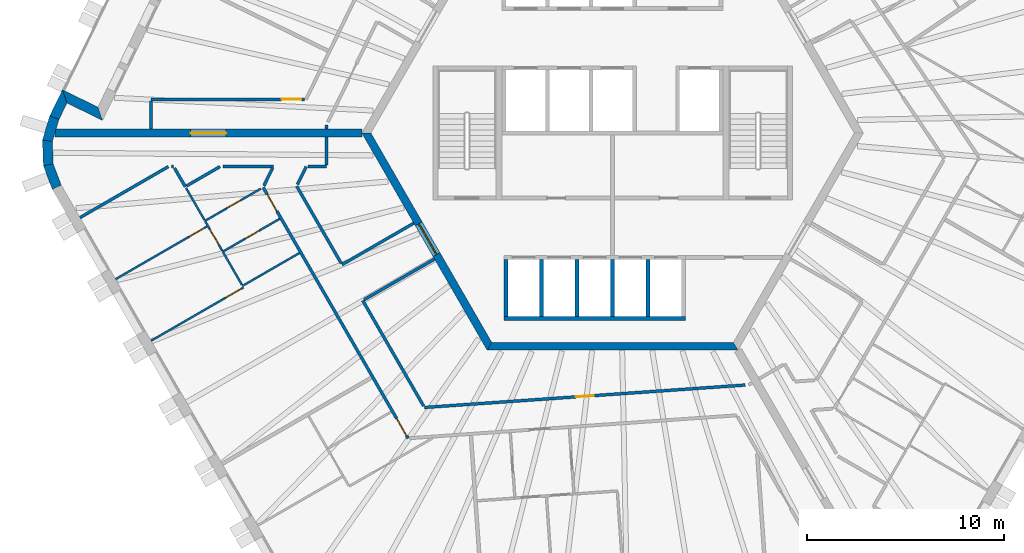
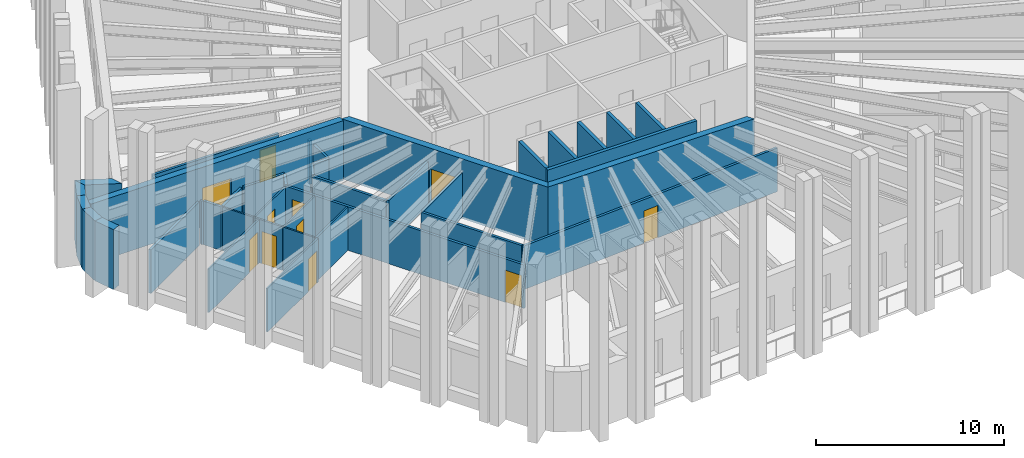
# One storey, part 4 of 13: 40 walls, 11 doors, 11 openings.
"""IFC4 building model written with IfcOpenShell, lengths in metres."""

from ifc_helpers import new_model, si_unit, direction, frame, frame_2d, origin, place, context, subcontext, project, spatial, polyline, rectangle, outline, extrude, material, layer, layer_set, type_object, element, fill, save


model = new_model("IFC4")

# Units and contexts
model_context = context("Model", 3, precision=1e-05, world=origin(), true_north=direction((0.0, 1.0)))
body_context = subcontext(model_context, "Body", "Model", "MODEL_VIEW")
ifc_project = project(units=[si_unit("LENGTHUNIT", "METRE"), si_unit("AREAUNIT", "SQUARE_METRE"), si_unit("VOLUMEUNIT", "CUBIC_METRE"), si_unit("PLANEANGLEUNIT", "RADIAN"), si_unit("MASSUNIT", "GRAM", prefix="KILO")], contexts=[model_context])

# Site, building, storey
site_placement = place(None, origin())
site = spatial("IfcSite", under=ifc_project, at=site_placement, CompositionType="ELEMENT")
building_placement = place(site_placement, origin())
building = spatial("IfcBuilding", under=site, at=building_placement, Name="Tarnside Tower", CompositionType="ELEMENT")
storey_placement = place(building_placement, frame((0.0, 0.0, 326.39990234375)))
storey = spatial("IfcBuildingStorey", under=building, at=storey_placement, Name="L79", CompositionType="ELEMENT", Elevation=326.39990234375)

# Wall
ifc_material_1 = material(Name="Gypsum board partition on steel studs", Category="steel")
ifc_layer_1 = layer(ifc_material_1, 0.10009765625)
ifc_layer_set_1 = layer_set([ifc_layer_1], Name="Bathroom wall 100")
wall_type_1 = type_object("IfcWallType", Name="Bathroom wall 100", PredefinedType="PARTITIONING", material=ifc_layer_set_1)
wall_1_placement = place(storey_placement, frame((-15.861083984375, -6.07763671875, 0.0), z_axis=(0.0, 0.0, 1.0), x_axis=(-0.866020521143, -0.500008456887, 0.0)))
element("IfcWall", 1, at=wall_1_placement, inside=storey, type_object=wall_type_1, Name="Bathroom wall 26109", PredefinedType="PARTITIONING", context=body_context, shape_type="SweptSolid", body=[
    extrude(rectangle(XDim=3.3251953125, YDim=0.10009765625, at=frame_2d((1.66259765625, 0.0))), origin(), (0.0, 0.0, 1.0), 2.837890625),
])

# Wall, opening, door
wall_2_placement = place(storey_placement, frame((-19.74072265625, -6.008056640625, 0.0), z_axis=(0.0, 0.0, 1.0), x_axis=(0.866052313871, 0.499953387465, 0.0)))
wall_2 = element("IfcWall", 2, at=wall_2_placement, inside=storey, type_object=wall_type_1, Name="Bathroom wall 26113", PredefinedType="PARTITIONING", context=body_context, shape_type="SweptSolid", body=[
    extrude(rectangle(XDim=3.324951171875, YDim=0.10009765625, at=frame_2d((1.66259765625, 0.0))), origin(), (0.0, 0.0, 1.0), 2.837890625),
])
opening_1_placement = place(wall_2_placement, frame((1.300048828125, 0.0, 0.0)))
opening_1 = element("IfcOpeningElement", 3, at=opening_1_placement, cuts=wall_2, Name="Opening D-B1", PredefinedType="OPENING", context=body_context, shape_type="SweptSolid", body=[
    extrude(rectangle(XDim=0.800048828125, YDim=2.10009765625, at=frame_2d((0.39990234375, 1.050048828125))), frame((0.0, 0.06005859375, 0.0), z_axis=(0.0, -1.0, 0.0), x_axis=(1.0, 0.0, 0.0)), (0.0, 0.0, 1.0), 0.1201171875),
])
ifc_material_2 = material(Name="Timber door leaf", Category="wood")
door_type_1 = type_object("IfcDoorType", Name="Bathroom door 800", OperationType="NOTDEFINED", PredefinedType="DOOR", material=ifc_material_2)
door_1_placement = place(opening_1_placement, origin())
door_1 = element("IfcDoor", 4, at=door_1_placement, inside=storey, type_object=door_type_1, Name="Bathroom door 26020", OperationType="SINGLE_SWING_LEFT", OverallHeight=2.10009765625, OverallWidth=0.800048828125, PredefinedType="DOOR", context=body_context, shape_type="SweptSolid", body=[
    extrude(rectangle(XDim=0.800048828125, YDim=2.10009765625, at=frame_2d((0.39990234375, 1.050048828125))), frame((0.0, 0.02490234375, 0.0), z_axis=(0.0, -1.0, 0.0), x_axis=(1.0, 0.0, 0.0)), (0.0, 0.0, 1.0), 0.050048828125),
])
fill(opening_1, door_1)

wall_3_placement = place(storey_placement, frame((-17.812255859375, -2.81640625, 0.0), z_axis=(0.0, 0.0, 1.0), x_axis=(-0.866044918084, -0.499966198718, 0.0)))
wall_3 = element("IfcWall", 5, at=wall_3_placement, inside=storey, type_object=wall_type_1, Name="Bathroom wall 26116", PredefinedType="PARTITIONING", context=body_context, shape_type="SweptSolid", body=[
    extrude(rectangle(XDim=3.265869140625, YDim=0.10009765625, at=frame_2d((1.6328125, 0.0))), origin(), (0.0, 0.0, 1.0), 2.837890625),
])
opening_2_placement = place(wall_3_placement, frame((1.165771484375, 0.0, 0.0)))
opening_2 = element("IfcOpeningElement", 6, at=opening_2_placement, cuts=wall_3, Name="Opening D-B1", PredefinedType="OPENING", context=body_context, shape_type="SweptSolid", body=[
    extrude(rectangle(XDim=0.800048828125, YDim=2.10009765625, at=frame_2d((0.39990234375, 1.050048828125))), frame((0.0, 0.06005859375, 0.0), z_axis=(0.0, -1.0, 0.0), x_axis=(1.0, 0.0, 0.0)), (0.0, 0.0, 1.0), 0.1201171875),
])
door_2_placement = place(opening_2_placement, origin())
door_2 = element("IfcDoor", 7, at=door_2_placement, inside=storey, type_object=door_type_1, Name="Bathroom door 26029", OperationType="SINGLE_SWING_RIGHT", OverallHeight=2.10009765625, OverallWidth=0.800048828125, PredefinedType="DOOR", context=body_context, shape_type="SweptSolid", body=[
    extrude(rectangle(XDim=0.800048828125, YDim=2.10009765625, at=frame_2d((0.39990234375, 1.050048828125))), frame((0.0, 0.02490234375, 0.0), z_axis=(0.0, -1.0, 0.0), x_axis=(1.0, 0.0, 0.0)), (0.0, 0.0, 1.0), 0.050048828125),
])
fill(opening_2, door_2)

# Walls
wall_4_placement = place(storey_placement, frame((-19.74169921875, -6.00634765625, 0.0), z_axis=(0.0, 0.0, 1.0), x_axis=(0.499982003349, -0.866035793907, 0.0)))
element("IfcWall", 8, at=wall_4_placement, inside=storey, type_object=wall_type_1, Name="Bathroom wall 26117", PredefinedType="PARTITIONING", context=body_context, shape_type="SweptSolid", body=[
    extrude(rectangle(XDim=1.9541015625, YDim=0.10009765625, at=frame_2d((0.97705078125, 0.0))), origin(), (0.0, 0.0, 1.0), 2.837890625),
])
wall_5_placement = place(storey_placement, frame((-20.665771484375, -4.406005859375, 0.0), z_axis=(0.0, 0.0, 1.0), x_axis=(-0.500004234368, 0.866022959057, 0.0)))
element("IfcWall", 9, at=wall_5_placement, inside=storey, type_object=wall_type_1, Name="Bathroom wall 26119", PredefinedType="PARTITIONING", context=body_context, shape_type="SweptSolid", body=[
    extrude(rectangle(XDim=1.875, YDim=0.10009765625, at=frame_2d((0.9375, 0.0))), origin(), (0.0, 0.0, 1.0), 2.837890625),
])

# Wall, opening, door
ifc_material_3 = material(Name="Concrete C60/75", Category="concrete")
ifc_layer_2 = layer(ifc_material_3, 0.39990234375)
ifc_layer_set_2 = layer_set([ifc_layer_2], Name="Core wall Z3 400 C60/75")
wall_type_2 = type_object("IfcWallType", Name="Core wall Z3 400 C60/75", PredefinedType="SHEAR", material=ifc_layer_set_2)
wall_6_placement = place(storey_placement, frame((-12.470703125, 0.0, -0.14990234375), z_axis=(0.0, 0.0, 1.0), x_axis=(0.499996419489, -0.866027470984, 0.0)))
wall_6 = element("IfcWall", 10, at=wall_6_placement, inside=storey, type_object=wall_type_2, Name="L79 core wall face 3", PredefinedType="SHEAR", context=body_context, shape_type="SweptSolid", body=[
    extrude(outline(polyline([(-0.115478515625, -0.199951171875), (12.586181640625, -0.199951171875), (12.355224609375, 0.199951171875), (0.115478515625, 0.199951171875), (-0.115478515625, -0.199951171875)])), origin(), (0.0, 0.0, 1.0), 3.89990234375),
])
opening_3_placement = place(wall_6_placement, frame((5.306396484375, 0.0, 0.14990234375)))
opening_3 = element("IfcOpeningElement", 11, at=opening_3_placement, cuts=wall_6, Name="Opening CD-FFL", PredefinedType="OPENING", context=body_context, shape_type="SweptSolid", body=[
    extrude(rectangle(XDim=1.800048828125, YDim=2.39990234375, at=frame_2d((0.89990234375, 1.199951171875))), frame((0.0, 0.2099609375, 0.0), z_axis=(0.0, -1.0, 0.0), x_axis=(1.0, 0.0, 0.0)), (0.0, 0.0, 1.0), 0.419921875),
])
ifc_material_4 = material(Name="Steel fire door", Category="steel")
door_type_2 = type_object("IfcDoorType", Name="Firefighting lobby double door FD60S 1800x2400", OperationType="NOTDEFINED", PredefinedType="DOOR", material=ifc_material_4)
door_3_placement = place(opening_3_placement, origin())
door_3 = element("IfcDoor", 12, at=door_3_placement, inside=storey, type_object=door_type_2, Name="L79 core door P3", OperationType="DOUBLE_DOOR_SINGLE_SWING", OverallHeight=2.39990234375, OverallWidth=1.800048828125, PredefinedType="DOOR", context=body_context, shape_type="SweptSolid", body=[
    extrude(rectangle(XDim=1.800048828125, YDim=2.39990234375, at=frame_2d((0.89990234375, 1.199951171875))), frame((0.0, 0.02490234375, 0.0), z_axis=(0.0, -1.0, 0.0), x_axis=(1.0, 0.0, 0.0)), (0.0, 0.0, 1.0), 0.050048828125),
])
fill(opening_3, door_3)

# Wall
wall_7_placement = place(storey_placement, frame((-6.2353515625, -10.800048828125, -0.14990234375), z_axis=(0.0, 0.0, 1.0), x_axis=(1.0, 0.0, 0.0)))
element("IfcWall", 13, at=wall_7_placement, inside=storey, type_object=wall_type_2, Name="L79 core wall face 4", PredefinedType="SHEAR", context=body_context, shape_type="SweptSolid", body=[
    extrude(outline(polyline([(-0.115478515625, -0.199951171875), (12.586181640625, -0.199951171875), (12.355224609375, 0.199951171875), (0.115478515625, 0.199951171875), (-0.115478515625, -0.199951171875)])), origin(), (0.0, 0.0, 1.0), 3.89990234375),
])

# Wall, opening, door
wall_8_placement = place(storey_placement, frame((-12.70166015625, 0.0, -0.14990234375), z_axis=(0.0, 0.0, 1.0), x_axis=(-1.0, 0.0, 0.0)))
wall_8 = element("IfcWall", 14, at=wall_8_placement, inside=storey, type_object=wall_type_2, Name="L79 spine wall 2", PredefinedType="SHEAR", context=body_context, shape_type="SweptSolid", body=[
    extrude(rectangle(XDim=15.54443359375, YDim=0.39990234375, at=frame_2d((7.772216796875, 0.0))), origin(), (0.0, 0.0, 1.0), 3.89990234375),
])
opening_4_placement = place(wall_8_placement, frame((6.872314453125, 0.0, 0.14990234375)))
opening_4 = element("IfcOpeningElement", 15, at=opening_4_placement, cuts=wall_8, Name="Opening CD-SPN", PredefinedType="OPENING", context=body_context, shape_type="SweptSolid", body=[
    extrude(rectangle(XDim=1.800048828125, YDim=2.39990234375, at=frame_2d((0.89990234375, 1.199951171875))), frame((0.0, 0.2099609375, 0.0), z_axis=(0.0, -1.0, 0.0), x_axis=(1.0, 0.0, 0.0)), (0.0, 0.0, 1.0), 0.419921875),
])
door_type_3 = type_object("IfcDoorType", Name="Spine passage double door FD60 1800x2400", OperationType="NOTDEFINED", PredefinedType="DOOR", material=ifc_material_4)
door_4_placement = place(opening_4_placement, origin())
door_4 = element("IfcDoor", 16, at=door_4_placement, inside=storey, type_object=door_type_3, Name="L79 spine passage door 2", OperationType="DOUBLE_DOOR_SINGLE_SWING", OverallHeight=2.39990234375, OverallWidth=1.800048828125, PredefinedType="DOOR", context=body_context, shape_type="SweptSolid", body=[
    extrude(rectangle(XDim=1.800048828125, YDim=2.39990234375, at=frame_2d((0.89990234375, 1.199951171875))), frame((0.0, 0.02490234375, 0.0), z_axis=(0.0, -1.0, 0.0), x_axis=(1.0, 0.0, 0.0)), (0.0, 0.0, 1.0), 0.050048828125),
])
fill(opening_4, door_4)

ifc_layer_3 = layer(ifc_material_1, 0.14990234375)
ifc_layer_set_3 = layer_set([ifc_layer_3], Name="Corridor wall 150 EI 60")
wall_type_3 = type_object("IfcWallType", Name="Corridor wall 150 EI 60", PredefinedType="PARTITIONING", material=ifc_layer_set_3)
wall_9_placement = place(storey_placement, frame((-15.609619140625, 1.699951171875, 0.0), z_axis=(0.0, 0.0, 1.0), x_axis=(-1.0, 0.0, 0.0)))
wall_9 = element("IfcWall", 17, at=wall_9_placement, inside=storey, type_object=wall_type_3, Name="Corridor wall 26015", PredefinedType="PARTITIONING", context=body_context, shape_type="SweptSolid", body=[
    extrude(rectangle(XDim=7.764404296875, YDim=0.14990234375, at=frame_2d((3.88232421875, 0.0))), origin(), (0.0, 0.0, 1.0), 2.837890625),
])
opening_5_placement = place(wall_9_placement, frame((0.14990234375, 0.0, 0.0)))
opening_5 = element("IfcOpeningElement", 18, at=opening_5_placement, cuts=wall_9, Name="Opening D-E1", PredefinedType="OPENING", context=body_context, shape_type="SweptSolid", body=[
    extrude(rectangle(XDim=1.0, YDim=2.10009765625, at=frame_2d((0.5, 1.050048828125))), frame((0.0, 0.0849609375, 0.0), z_axis=(0.0, -1.0, 0.0), x_axis=(1.0, 0.0, 0.0)), (0.0, 0.0, 1.0), 0.169921875),
])
door_type_4 = type_object("IfcDoorType", Name="Unit entrance door 1000 FD30S", OperationType="NOTDEFINED", PredefinedType="DOOR", material=ifc_material_2)
door_5_placement = place(opening_5_placement, origin())
door_5 = element("IfcDoor", 19, at=door_5_placement, inside=storey, type_object=door_type_4, Name="Unit door 26018", OperationType="SINGLE_SWING_RIGHT", OverallHeight=2.10009765625, OverallWidth=1.0, PredefinedType="DOOR", context=body_context, shape_type="SweptSolid", body=[
    extrude(rectangle(XDim=1.0, YDim=2.10009765625, at=frame_2d((0.5, 1.050048828125))), frame((0.0, 0.02490234375, 0.0), z_axis=(0.0, -1.0, 0.0), x_axis=(1.0, 0.0, 0.0)), (0.0, 0.0, 1.0), 0.050048828125),
])
fill(opening_5, door_5)

# Walls
wall_10_placement = place(storey_placement, frame((-23.3740234375, 1.625, 0.0), z_axis=(0.0, 0.0, 1.0), x_axis=(0.0, -1.0, 0.0)))
element("IfcWall", 20, at=wall_10_placement, inside=storey, type_object=wall_type_3, Name="Corridor wall 26016", PredefinedType="PARTITIONING", context=body_context, shape_type="SweptSolid", body=[
    extrude(rectangle(XDim=1.425048828125, YDim=0.14990234375, at=frame_2d((0.71240234375, 0.0))), origin(), (0.0, 0.0, 1.0), 2.837890625),
])
wall_11_placement = place(storey_placement, frame((-14.486328125, 0.199951171875, 0.0), z_axis=(0.0, 0.0, 1.0), x_axis=(0.0, 1.0, 0.0)))
element("IfcWall", 21, at=wall_11_placement, inside=storey, type_object=wall_type_3, Name="Corridor wall 26023", PredefinedType="PARTITIONING", context=body_context, shape_type="SweptSolid", body=[
    extrude(rectangle(XDim=0.210205078125, YDim=0.14990234375, at=frame_2d((0.10498046875, 0.0))), origin(), (0.0, 0.0, 1.0), 2.837890625),
])

# Wall, openings, doors
wall_12_placement = place(storey_placement, frame((-17.6962890625, -2.749267578125, 0.0), z_axis=(0.0, 0.0, 1.0), x_axis=(0.499997948852, -0.866026588012, 0.0)))
wall_12 = element("IfcWall", 22, at=wall_12_placement, inside=storey, type_object=wall_type_3, Name="Corridor wall 26026", PredefinedType="PARTITIONING", context=body_context, shape_type="SweptSolid", body=[
    extrude(rectangle(XDim=14.67724609375, YDim=0.14990234375, at=frame_2d((7.338623046875, 0.0))), origin(), (0.0, 0.0, 1.0), 2.837890625),
])
opening_6_placement = place(wall_12_placement, frame((0.39990234375, 0.0, 0.0)))
opening_6 = element("IfcOpeningElement", 23, at=opening_6_placement, cuts=wall_12, Name="Opening D-E1", PredefinedType="OPENING", context=body_context, shape_type="SweptSolid", body=[
    extrude(rectangle(XDim=1.0, YDim=2.10009765625, at=frame_2d((0.5, 1.050048828125))), frame((0.0, 0.0849609375, 0.0), z_axis=(0.0, -1.0, 0.0), x_axis=(1.0, 0.0, 0.0)), (0.0, 0.0, 1.0), 0.169921875),
])
opening_7_placement = place(wall_12_placement, frame((13.52734375, 0.0, 0.0)))
opening_7 = element("IfcOpeningElement", 24, at=opening_7_placement, cuts=wall_12, Name="Opening D-E1", PredefinedType="OPENING", context=body_context, shape_type="SweptSolid", body=[
    extrude(rectangle(XDim=1.0, YDim=2.10009765625, at=frame_2d((0.5, 1.050048828125))), frame((0.0, 0.0849609375, 0.0), z_axis=(0.0, -1.0, 0.0), x_axis=(1.0, 0.0, 0.0)), (0.0, 0.0, 1.0), 0.169921875),
])
door_6_placement = place(opening_6_placement, origin())
door_6 = element("IfcDoor", 25, at=door_6_placement, inside=storey, type_object=door_type_4, Name="Unit door 26019", OperationType="SINGLE_SWING_RIGHT", OverallHeight=2.10009765625, OverallWidth=1.0, PredefinedType="DOOR", context=body_context, shape_type="SweptSolid", body=[
    extrude(rectangle(XDim=1.0, YDim=2.10009765625, at=frame_2d((0.5, 1.050048828125))), frame((0.0, 0.02490234375, 0.0), z_axis=(0.0, -1.0, 0.0), x_axis=(1.0, 0.0, 0.0)), (0.0, 0.0, 1.0), 0.050048828125),
])
fill(opening_6, door_6)
door_7_placement = place(opening_7_placement, origin())
door_7 = element("IfcDoor", 26, at=door_7_placement, inside=storey, type_object=door_type_4, Name="Unit door 26030", OperationType="SINGLE_SWING_LEFT", OverallHeight=2.10009765625, OverallWidth=1.0, PredefinedType="DOOR", context=body_context, shape_type="SweptSolid", body=[
    extrude(rectangle(XDim=1.0, YDim=2.10009765625, at=frame_2d((0.5, 1.050048828125))), frame((0.0, 0.02490234375, 0.0), z_axis=(0.0, -1.0, 0.0), x_axis=(1.0, 0.0, 0.0)), (0.0, 0.0, 1.0), 0.050048828125),
])
fill(opening_7, door_7)

# Walls
wall_13_placement = place(storey_placement, frame((-26.97119140625, -4.284423828125, 0.0), z_axis=(0.0, 0.0, 1.0), x_axis=(0.866019619451, 0.500010018626, 0.0)))
element("IfcWall", 27, at=wall_13_placement, inside=storey, type_object=wall_type_3, Name="Corridor wall 26029", PredefinedType="PARTITIONING", context=body_context, shape_type="SweptSolid", body=[
    extrude(rectangle(XDim=5.1689453125, YDim=0.14990234375, at=frame_2d((2.58447265625, 0.0))), origin(), (0.0, 0.0, 1.0), 2.837890625),
])
wall_14_placement = place(storey_placement, frame((-22.344970703125, -1.699951171875, 0.0), z_axis=(0.0, 0.0, 1.0), x_axis=(1.0, 0.0, 0.0)))
element("IfcWall", 28, at=wall_14_placement, inside=storey, type_object=wall_type_3, Name="Corridor wall 26030", PredefinedType="PARTITIONING", context=body_context, shape_type="SweptSolid", body=[
    extrude(rectangle(XDim=0.116943359375, YDim=0.14990234375, at=frame_2d((0.05859375, 0.0))), origin(), (0.0, 0.0, 1.0), 2.837890625),
])
wall_15_placement = place(storey_placement, frame((-22.1845703125, -1.77490234375, 0.0), z_axis=(0.0, 0.0, 1.0), x_axis=(0.499819250349, -0.866129734497, 0.0)))
element("IfcWall", 29, at=wall_15_placement, inside=storey, type_object=wall_type_3, Name="Corridor wall 26031", PredefinedType="PARTITIONING", context=body_context, shape_type="SweptSolid", body=[
    extrude(rectangle(XDim=1.091796875, YDim=0.14990234375, at=frame_2d((0.5458984375, 0.0))), origin(), (0.0, 0.0, 1.0), 2.837890625),
])
wall_16_placement = place(storey_placement, frame((-21.57568359375, -2.6796875, 0.0), z_axis=(0.0, 0.0, 1.0), x_axis=(0.866034128446, 0.499984888139, 0.0)))
element("IfcWall", 30, at=wall_16_placement, inside=storey, type_object=wall_type_3, Name="Corridor wall 26032", PredefinedType="PARTITIONING", context=body_context, shape_type="SweptSolid", body=[
    extrude(rectangle(XDim=1.95947265625, YDim=0.14990234375, at=frame_2d((0.979736328125, 0.0))), origin(), (0.0, 0.0, 1.0), 2.837890625),
])
wall_17_placement = place(storey_placement, frame((-19.728759765625, -1.699951171875, 0.0), z_axis=(0.0, 0.0, 1.0), x_axis=(1.0, 0.0, 0.0)))
element("IfcWall", 31, at=wall_17_placement, inside=storey, type_object=wall_type_3, Name="Corridor wall 26033", PredefinedType="PARTITIONING", context=body_context, shape_type="SweptSolid", body=[
    extrude(rectangle(XDim=2.54443359375, YDim=0.14990234375, at=frame_2d((1.272216796875, 0.0))), origin(), (0.0, 0.0, 1.0), 2.837890625),
])
wall_18_placement = place(storey_placement, frame((-17.220947265625, -1.77490234375, 0.0), z_axis=(0.0, 0.0, 1.0), x_axis=(-0.43834617456, -0.89880622564, 0.0)))
element("IfcWall", 32, at=wall_18_placement, inside=storey, type_object=wall_type_3, Name="Corridor wall 26034", PredefinedType="PARTITIONING", context=body_context, shape_type="SweptSolid", body=[
    extrude(rectangle(XDim=0.99365234375, YDim=0.14990234375, at=frame_2d((0.496826171875, 0.0))), origin(), (0.0, 0.0, 1.0), 2.837890625),
])
wall_19_placement = place(storey_placement, frame((-10.065673828125, -4.565673828125, 0.0), z_axis=(0.0, 0.0, 1.0), x_axis=(-0.866023935413, -0.500002543286, 0.0)))
element("IfcWall", 33, at=wall_19_placement, inside=storey, type_object=wall_type_3, Name="Corridor wall 26045", PredefinedType="PARTITIONING", context=body_context, shape_type="SweptSolid", body=[
    extrude(rectangle(XDim=4.2001953125, YDim=0.14990234375, at=frame_2d((2.10009765625, 0.0))), origin(), (0.0, 0.0, 1.0), 2.837890625),
])
wall_20_placement = place(storey_placement, frame((-13.740478515625, -6.600830078125, 0.0), z_axis=(0.0, 0.0, 1.0), x_axis=(-0.499976727135, 0.866038839962, 0.0)))
element("IfcWall", 34, at=wall_20_placement, inside=storey, type_object=wall_type_3, Name="Corridor wall 26046", PredefinedType="PARTITIONING", context=body_context, shape_type="SweptSolid", body=[
    extrude(rectangle(XDim=4.515869140625, YDim=0.14990234375, at=frame_2d((2.2578125, 0.0))), origin(), (0.0, 0.0, 1.0), 2.837890625),
])
wall_21_placement = place(storey_placement, frame((-15.958740234375, -2.608642578125, 0.0), z_axis=(0.0, 0.0, 1.0), x_axis=(0.43849974808, 0.898731311869, 0.0)))
element("IfcWall", 35, at=wall_21_placement, inside=storey, type_object=wall_type_3, Name="Corridor wall 26047", PredefinedType="PARTITIONING", context=body_context, shape_type="SweptSolid", body=[
    extrude(rectangle(XDim=1.010986328125, YDim=0.14990234375, at=frame_2d((0.50537109375, 0.0))), origin(), (0.0, 0.0, 1.0), 2.837890625),
])
wall_22_placement = place(storey_placement, frame((-15.43212890625, -1.699951171875, 0.0), z_axis=(0.0, 0.0, 1.0), x_axis=(1.0, 0.0, 0.0)))
element("IfcWall", 36, at=wall_22_placement, inside=storey, type_object=wall_type_3, Name="Corridor wall 26048", PredefinedType="PARTITIONING", context=body_context, shape_type="SweptSolid", body=[
    extrude(rectangle(XDim=0.94580078125, YDim=0.14990234375, at=frame_2d((0.472900390625, 0.0))), origin(), (0.0, 0.0, 1.0), 2.837890625),
])
wall_23_placement = place(storey_placement, frame((-14.486328125, -1.625, 0.0), z_axis=(0.0, 0.0, 1.0), x_axis=(0.0, 1.0, 0.0)))
element("IfcWall", 37, at=wall_23_placement, inside=storey, type_object=wall_type_3, Name="Corridor wall 26049", PredefinedType="PARTITIONING", context=body_context, shape_type="SweptSolid", body=[
    extrude(rectangle(XDim=1.425048828125, YDim=0.14990234375, at=frame_2d((0.71240234375, 0.0))), origin(), (0.0, 0.0, 1.0), 2.837890625),
])

# Wall, opening, door
wall_24_placement = place(storey_placement, frame((6.71728515625, -12.762451171875, 0.0), z_axis=(0.0, 0.0, 1.0), x_axis=(-0.99756375843, -0.069760646978, 0.0)))
wall_24 = element("IfcWall", 38, at=wall_24_placement, inside=storey, type_object=wall_type_3, Name="Corridor wall 26051", PredefinedType="PARTITIONING", context=body_context, shape_type="SweptSolid", body=[
    extrude(rectangle(XDim=16.283935546875, YDim=0.14990234375, at=frame_2d((8.14208984375, 0.0))), origin(), (0.0, 0.0, 1.0), 2.837890625),
])
opening_8_placement = place(wall_24_placement, frame((7.692138671875, 0.0, 0.0)))
opening_8 = element("IfcOpeningElement", 39, at=opening_8_placement, cuts=wall_24, Name="Opening D-S1", PredefinedType="OPENING", context=body_context, shape_type="SweptSolid", body=[
    extrude(rectangle(XDim=0.89990234375, YDim=2.10009765625, at=frame_2d((0.449951171875, 1.050048828125))), frame((0.0, 0.0849609375, 0.0), z_axis=(0.0, -1.0, 0.0), x_axis=(1.0, 0.0, 0.0)), (0.0, 0.0, 1.0), 0.169921875),
])
door_type_5 = type_object("IfcDoorType", Name="Service room door 900 FD30S", OperationType="NOTDEFINED", PredefinedType="DOOR", material=ifc_material_2)
door_8_placement = place(opening_8_placement, origin())
door_8 = element("IfcDoor", 40, at=door_8_placement, inside=storey, type_object=door_type_5, Name="Service door 26074", OperationType="SINGLE_SWING_RIGHT", OverallHeight=2.10009765625, OverallWidth=0.89990234375, PredefinedType="DOOR", context=body_context, shape_type="SweptSolid", body=[
    extrude(rectangle(XDim=0.89990234375, YDim=2.10009765625, at=frame_2d((0.449951171875, 1.050048828125))), frame((0.0, 0.02490234375, 0.0), z_axis=(0.0, -1.0, 0.0), x_axis=(1.0, 0.0, 0.0)), (0.0, 0.0, 1.0), 0.050048828125),
])
fill(opening_8, door_8)

# Walls
wall_25_placement = place(storey_placement, frame((-9.56884765625, -13.826171875, 0.0), z_axis=(0.0, 0.0, 1.0), x_axis=(-0.500017101833, 0.866015529811, 0.0)))
element("IfcWall", 41, at=wall_25_placement, inside=storey, type_object=wall_type_3, Name="Corridor wall 26052", PredefinedType="PARTITIONING", context=body_context, shape_type="SweptSolid", body=[
    extrude(rectangle(XDim=6.168212890625, YDim=0.14990234375, at=frame_2d((3.083984375, 0.0))), origin(), (0.0, 0.0, 1.0), 2.837890625),
])
wall_26_placement = place(storey_placement, frame((-12.588134765625, -8.44677734375, 0.0), z_axis=(0.0, 0.0, 1.0), x_axis=(0.866034795751, 0.499983732284, 0.0)))
element("IfcWall", 42, at=wall_26_placement, inside=storey, type_object=wall_type_3, Name="Corridor wall 26053", PredefinedType="PARTITIONING", context=body_context, shape_type="SweptSolid", body=[
    extrude(rectangle(XDim=4.125244140625, YDim=0.14990234375, at=frame_2d((2.0625, 0.0))), origin(), (0.0, 0.0, 1.0), 2.837890625),
])
ifc_material_5 = material(Name="Concrete C40/50", Category="concrete")
ifc_layer_4 = layer(ifc_material_5, 0.199951171875)
ifc_layer_set_4 = layer_set([ifc_layer_4], Name="Lift shaft wall 200 C40/50")
wall_type_4 = type_object("IfcWallType", Name="Lift shaft wall 200 C40/50", PredefinedType="SHEAR", material=ifc_layer_set_4)
wall_27_placement = place(storey_placement, frame((-5.5, -9.39990234375, -0.25), z_axis=(0.0, 0.0, 1.0), x_axis=(1.0, 0.0, 0.0)))
element("IfcWall", 43, at=wall_27_placement, inside=storey, type_object=wall_type_4, Name="L79 lift shaft back wall R4", PredefinedType="SHEAR", context=body_context, shape_type="SweptSolid", body=[
    extrude(rectangle(XDim=9.199951171875, YDim=0.199951171875, at=frame_2d((4.60009765625, 0.0))), origin(), (0.0, 0.0, 1.0), 3.900146484375),
])
for number, where, z_axis, x_axis, name in (
    (44, (-5.39990234375, -9.300048828125, -0.25), (0.0, 0.0, 1.0), (0.0, 1.0, 0.0), "L79 lift shaft partition R41"),
    (45, (-3.60009765625, -9.300048828125, -0.25), (0.0, 0.0, 1.0), (0.0, 1.0, 0.0), "L79 lift shaft partition R42"),
    (46, (-1.800048828125, -9.300048828125, -0.25), (0.0, 0.0, 1.0), (0.0, 1.0, 0.0), "L79 lift shaft partition R43"),
    (47, (0.0, -9.300048828125, -0.25), (0.0, 0.0, 1.0), (0.0, 1.0, 0.0), "L79 lift shaft partition R44"),
    (48, (1.800048828125, -9.300048828125, -0.25), (0.0, 0.0, 1.0), (0.0, 1.0, 0.0), "L79 lift shaft partition R45"),
):
    element("IfcWall", number, at=place(storey_placement, frame(where, z_axis=z_axis, x_axis=x_axis)), inside=storey, type_object=wall_type_4, Name=name, PredefinedType="SHEAR", context=body_context, shape_type="SweptSolid", body=[
        extrude(rectangle(XDim=2.900146484375, YDim=0.199951171875, at=frame_2d((1.4501953125, 0.0))), origin(), (0.0, 0.0, 1.0), 3.900146484375),
    ])
ifc_material_6 = material(Name="Dark zinc cladding")
ifc_layer_5 = layer(ifc_material_6, 0.10205078125)
ifc_material_7 = material(Name="Concrete C60/75 precast", Category="concrete")
ifc_layer_6 = layer(ifc_material_7, 0.298095703125)
ifc_material_8 = material(Name="Mineral wool insulation")
ifc_layer_7 = layer(ifc_material_8, 0.10009765625)
ifc_layer_set_5 = layer_set([ifc_layer_5, ifc_layer_6, ifc_layer_7], Name="Loggia wall 500 zinc faced")
wall_type_5 = type_object("IfcWallType", Name="Loggia wall 500 zinc faced", PredefinedType="SOLIDWALL", material=ifc_layer_set_5)
wall_28_placement = place(storey_placement, frame((-25.9482421875, 0.97607421875, -0.14990234375), z_axis=(0.0, 0.0, 1.0), x_axis=(-0.898802465371, 0.438353884714, 0.0)))
element("IfcWall", 49, at=wall_28_placement, inside=storey, type_object=wall_type_5, Name="Tube wall L79 F2 return 07", PredefinedType="SOLIDWALL", context=body_context, shape_type="SweptSolid", body=[
    extrude(outline(polyline([(0.25, -0.25), (2.25, -0.25), (1.75, 0.25), (-0.25, 0.25), (0.25, -0.25)])), origin(), (0.0, 0.0, 1.0), 3.89990234375),
])
wall_29_placement = place(storey_placement, frame((-27.745849609375, 1.852783203125, -0.14990234375), z_axis=(0.0, 0.0, 1.0), x_axis=(-0.438319390103, -0.898819287877, 0.0)))
element("IfcWall", 50, at=wall_29_placement, inside=storey, type_object=wall_type_5, Name="Tube wall L79 F2 stub 08", PredefinedType="SOLIDWALL", context=body_context, shape_type="SweptSolid", body=[
    extrude(outline(polyline([(-0.25, -0.25), (1.22021484375, -0.25), (1.17919921875, 0.25), (0.25, 0.25), (-0.25, -0.25)])), origin(), (0.0, 0.0, 1.0), 3.89990234375),
])

# Wall, opening, door
ifc_layer_8 = layer(ifc_material_1, 0.10009765625)
ifc_layer_set_6 = layer_set([ifc_layer_8], Name="Partition 100")
wall_type_6 = type_object("IfcWallType", Name="Partition 100", PredefinedType="PARTITIONING", material=ifc_layer_set_6)
wall_30_placement = place(storey_placement, frame((-18.69482421875, -7.81982421875, 0.0), z_axis=(0.0, 0.0, 1.0), x_axis=(-0.866028230842, -0.499995103361, 0.0)))
wall_30 = element("IfcWall", 51, at=wall_30_placement, inside=storey, type_object=wall_type_6, Name="Partition wall 26110", PredefinedType="PARTITIONING", context=body_context, shape_type="SweptSolid", body=[
    extrude(rectangle(XDim=5.39990234375, YDim=0.10009765625, at=frame_2d((2.699951171875, 0.0))), origin(), (0.0, 0.0, 1.0), 2.837890625),
])
opening_9_placement = place(wall_30_placement, frame((0.14990234375, 0.0, 0.0)))
opening_9 = element("IfcOpeningElement", 52, at=opening_9_placement, cuts=wall_30, Name="Opening D-I1", PredefinedType="OPENING", context=body_context, shape_type="SweptSolid", body=[
    extrude(rectangle(XDim=0.89990234375, YDim=2.10009765625, at=frame_2d((0.449951171875, 1.050048828125))), frame((0.0, 0.06005859375, 0.0), z_axis=(0.0, -1.0, 0.0), x_axis=(1.0, 0.0, 0.0)), (0.0, 0.0, 1.0), 0.1201171875),
])
door_type_6 = type_object("IfcDoorType", Name="Internal door 900", OperationType="NOTDEFINED", PredefinedType="DOOR", material=ifc_material_2)
door_9_placement = place(opening_9_placement, origin())
door_9 = element("IfcDoor", 53, at=door_9_placement, inside=storey, type_object=door_type_6, Name="Internal door 26028", OperationType="SINGLE_SWING_RIGHT", OverallHeight=2.10009765625, OverallWidth=0.89990234375, PredefinedType="DOOR", context=body_context, shape_type="SweptSolid", body=[
    extrude(rectangle(XDim=0.89990234375, YDim=2.10009765625, at=frame_2d((0.449951171875, 1.050048828125))), frame((0.0, 0.02490234375, 0.0), z_axis=(0.0, -1.0, 0.0), x_axis=(1.0, 0.0, 0.0)), (0.0, 0.0, 1.0), 0.050048828125),
])
fill(opening_9, door_9)

wall_31_placement = place(storey_placement, frame((-20.6416015625, -4.447509765625, 0.0), z_axis=(0.0, 0.0, 1.0), x_axis=(0.499971461383, -0.866041879935, 0.0)))
wall_31 = element("IfcWall", 54, at=wall_31_placement, inside=storey, type_object=wall_type_6, Name="Partition wall 26114", PredefinedType="PARTITIONING", context=body_context, shape_type="SweptSolid", body=[
    extrude(rectangle(XDim=1.75390625, YDim=0.10009765625, at=frame_2d((0.876953125, 0.0))), origin(), (0.0, 0.0, 1.0), 2.837890625),
])
opening_10_placement = place(wall_31_placement, frame((0.493896484375, 0.0, 0.0)))
opening_10 = element("IfcOpeningElement", 55, at=opening_10_placement, cuts=wall_31, Name="Opening D-I1", PredefinedType="OPENING", context=body_context, shape_type="SweptSolid", body=[
    extrude(rectangle(XDim=0.89990234375, YDim=2.10009765625, at=frame_2d((0.449951171875, 1.050048828125))), frame((0.0, 0.06005859375, 0.0), z_axis=(0.0, -1.0, 0.0), x_axis=(1.0, 0.0, 0.0)), (0.0, 0.0, 1.0), 0.1201171875),
])
door_10_placement = place(opening_10_placement, origin())
door_10 = element("IfcDoor", 56, at=door_10_placement, inside=storey, type_object=door_type_6, Name="Internal door 26023", OperationType="SINGLE_SWING_RIGHT", OverallHeight=2.10009765625, OverallWidth=0.89990234375, PredefinedType="DOOR", context=body_context, shape_type="SweptSolid", body=[
    extrude(rectangle(XDim=0.89990234375, YDim=2.10009765625, at=frame_2d((0.449951171875, 1.050048828125))), frame((0.0, 0.02490234375, 0.0), z_axis=(0.0, -1.0, 0.0), x_axis=(1.0, 0.0, 0.0)), (0.0, 0.0, 1.0), 0.050048828125),
])
fill(opening_10, door_10)

wall_32_placement = place(storey_placement, frame((-25.171142578125, -7.402099609375, 0.0), z_axis=(0.0, 0.0, 1.0), x_axis=(0.866013074135, 0.500021354972, 0.0)))
wall_32 = element("IfcWall", 57, at=wall_32_placement, inside=storey, type_object=wall_type_6, Name="Partition wall 26118", PredefinedType="PARTITIONING", context=body_context, shape_type="SweptSolid", body=[
    extrude(rectangle(XDim=5.349853515625, YDim=0.10009765625, at=frame_2d((2.6748046875, 0.0))), origin(), (0.0, 0.0, 1.0), 2.837890625),
])
opening_11_placement = place(wall_32_placement, frame((4.300048828125, 0.0, 0.0)))
opening_11 = element("IfcOpeningElement", 58, at=opening_11_placement, cuts=wall_32, Name="Opening D-I1", PredefinedType="OPENING", context=body_context, shape_type="SweptSolid", body=[
    extrude(rectangle(XDim=0.89990234375, YDim=2.10009765625, at=frame_2d((0.449951171875, 1.050048828125))), frame((0.0, 0.06005859375, 0.0), z_axis=(0.0, -1.0, 0.0), x_axis=(1.0, 0.0, 0.0)), (0.0, 0.0, 1.0), 0.1201171875),
])
door_11_placement = place(opening_11_placement, origin())
door_11 = element("IfcDoor", 59, at=door_11_placement, inside=storey, type_object=door_type_6, Name="Internal door 26026", OperationType="SINGLE_SWING_RIGHT", OverallHeight=2.10009765625, OverallWidth=0.89990234375, PredefinedType="DOOR", context=body_context, shape_type="SweptSolid", body=[
    extrude(rectangle(XDim=0.89990234375, YDim=2.10009765625, at=frame_2d((0.449951171875, 1.050048828125))), frame((0.0, 0.02490234375, 0.0), z_axis=(0.0, -1.0, 0.0), x_axis=(1.0, 0.0, 0.0)), (0.0, 0.0, 1.0), 0.050048828125),
])
fill(opening_11, door_11)

# Walls
ifc_material_9 = material(Name="Facing brick", Category="masonry")
ifc_layer_9 = layer(ifc_material_9, 0.10205078125)
ifc_layer_10 = layer(ifc_material_7, 0.298095703125)
ifc_layer_11 = layer(ifc_material_8, 0.10009765625)
ifc_layer_set_7 = layer_set([ifc_layer_9, ifc_layer_10, ifc_layer_11], Name="Tube wall 500 brick faced")
wall_type_7 = type_object("IfcWallType", Name="Tube wall 500 brick faced", PredefinedType="SOLIDWALL", material=ifc_layer_set_7)
wall_33_placement = place(storey_placement, frame((-28.271728515625, 0.7744140625, -0.14990234375), z_axis=(0.0, 0.0, 1.0), x_axis=(-0.286813843218, -0.957986335674, 0.0)))
element("IfcWall", 60, at=wall_33_placement, inside=storey, type_object=wall_type_7, Name="Tube wall L79 F2 chord 09", PredefinedType="SOLIDWALL", context=body_context, shape_type="SweptSolid", body=[
    extrude(outline(polyline([(-0.0205078125, -0.25), (1.25732421875, -0.25), (1.17529296875, 0.25), (0.0205078125, 0.25), (-0.0205078125, -0.25)])), origin(), (0.0, 0.0, 1.0), 3.89990234375),
])
wall_34_placement = place(storey_placement, frame((-28.62060546875, -0.390869140625, -0.14990234375), z_axis=(0.0, 0.0, 1.0), x_axis=(0.034925456137, -0.999389920158, 0.0)))
element("IfcWall", 61, at=wall_34_placement, inside=storey, type_object=wall_type_7, Name="Tube wall L79 F2 chord 10", PredefinedType="SOLIDWALL", context=body_context, shape_type="SweptSolid", body=[
    extrude(outline(polyline([(-0.041015625, -0.25), (1.25732421875, -0.25), (1.17529296875, 0.25), (0.041015625, 0.25), (-0.041015625, -0.25)])), origin(), (0.0, 0.0, 1.0), 3.89990234375),
])
wall_35_placement = place(storey_placement, frame((-28.578125, -1.6064453125, -0.14990234375), z_axis=(0.0, 0.0, 1.0), x_axis=(0.352838463023, -0.935684251771, 0.0)))
element("IfcWall", 62, at=wall_35_placement, inside=storey, type_object=wall_type_7, Name="Tube wall L79 F2 chord 11", PredefinedType="SOLIDWALL", context=body_context, shape_type="SweptSolid", body=[
    extrude(outline(polyline([(-0.041015625, -0.25), (1.23681640625, -0.25), (1.19580078125, 0.25), (0.041015625, 0.25), (-0.041015625, -0.25)])), origin(), (0.0, 0.0, 1.0), 3.89990234375),
])

save(model, "model.ifc")
